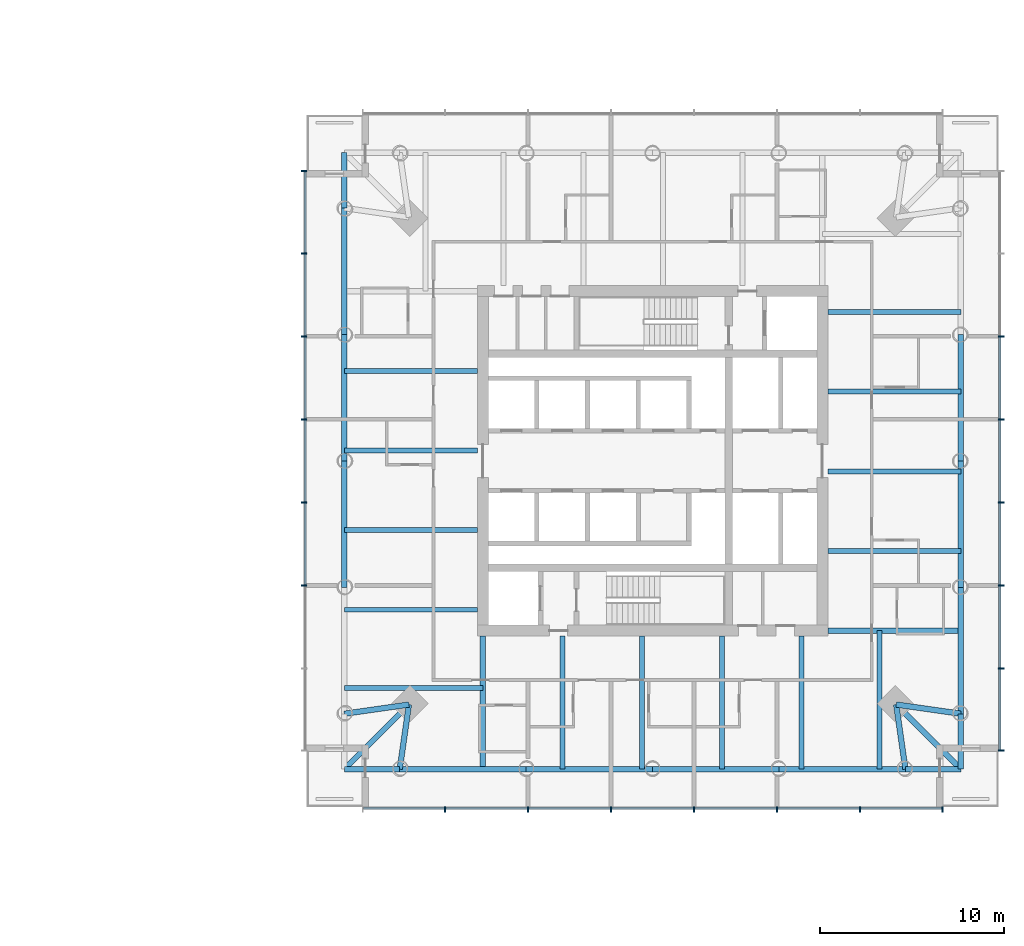
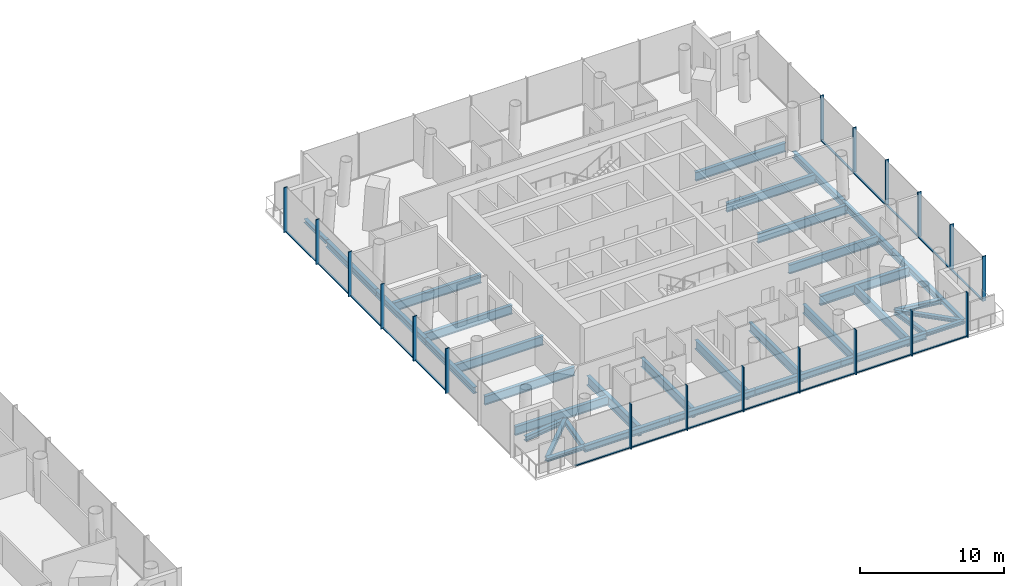
# One storey, part 5 of 18: 36 beams, 36 members, 3 elements without a shape of their own.
"""IFC4 building model written with IfcOpenShell, lengths in metres."""

from ifc_helpers import new_model, si_unit, direction, frame, origin, origin_2d, place, context, subcontext, project, spatial, rectangle, i_section, extrude, material, material_profile, profile_set, type_object, element, aggregate, save


model = new_model("IFC4")

# Units and contexts
model_context = context("Model", 3, precision=1e-05, world=origin(), true_north=direction((0.0, 1.0)))
body_context = subcontext(model_context, "Body", "Model", "MODEL_VIEW")
ifc_project = project(units=[si_unit("LENGTHUNIT", "METRE"), si_unit("AREAUNIT", "SQUARE_METRE"), si_unit("VOLUMEUNIT", "CUBIC_METRE"), si_unit("PLANEANGLEUNIT", "RADIAN"), si_unit("MASSUNIT", "GRAM", prefix="KILO")], contexts=[model_context])

# Site, building, storey
site_placement = place(None, origin())
site = spatial("IfcSite", under=ifc_project, at=site_placement, CompositionType="ELEMENT")
building_placement = place(site_placement, origin())
building = spatial("IfcBuilding", under=site, at=building_placement, Name="Ostroluk Exchange", CompositionType="ELEMENT")
storey_placement = place(building_placement, frame((0.0, 0.0, 74.199951171875)))
storey = spatial("IfcBuildingStorey", under=building, at=storey_placement, Name="L18", CompositionType="ELEMENT", Elevation=74.199951171875)

# Beams
ifc_material_1 = material(Name="Steel S355", Category="steel")
ifc_material_profile_1 = material_profile(ifc_material_1, i_section(OverallWidth=0.300048828125, OverallDepth=0.300048828125, WebThickness=0.010986328125, FlangeThickness=0.01904296875, FilletRadius=0.027099609375, at=origin_2d()), Name="HEB 300")
ifc_profile_set_1 = profile_set([ifc_material_profile_1], Name="Steel S355")
beam_type_1 = type_object("IfcBeamType", Name="Balcony beam HEB 300", PredefinedType="BEAM", material=ifc_profile_set_1)
for number, where, z_axis, x_axis, name in (
    (1, (100.293212890625, 59.706787109375, -0.349853515625), (0.0, 1.0, 0.0), (-1.0, 0.0, 0.0), "T2 north balcony beam b"),
    (2, (103.293212890625, 29.293212890625, -0.349853515625), (-1.0, 0.0, 0.0), (0.0, -1.0, 0.0), "T2 west balcony beam b"),
):
    element("IfcBeam", number, at=place(storey_placement, frame(where, z_axis=z_axis, x_axis=x_axis)), inside=storey, type_object=beam_type_1, Name=name, PredefinedType="BEAM", context=body_context, shape_type="SweptSolid", body=[
        extrude(i_section(OverallWidth=0.300048828125, OverallDepth=0.300048828125, WebThickness=0.010986328125, FlangeThickness=0.01904296875, FilletRadius=0.027099609375, at=origin_2d()), origin(), (0.0, 0.0, 1.0), 3.0),
    ])
beam_1_placement = place(storey_placement, frame((103.793212890625, 32.793212890625, -0.349853515625), z_axis=(-0.707106781187, -0.707106781187, 0.0), x_axis=(0.707106781187, -0.707106781187, 0.0)))
element("IfcBeam", 3, at=beam_1_placement, inside=storey, type_object=beam_type_1, Name="T2 west balcony beam c", PredefinedType="BEAM", context=body_context, shape_type="SweptSolid", body=[
    extrude(i_section(OverallWidth=0.300048828125, OverallDepth=0.300048828125, WebThickness=0.010986328125, FlangeThickness=0.01904296875, FilletRadius=0.027099609375, at=origin_2d()), origin(), (0.0, 0.0, 1.0), 4.94970703125),
])
for number, where, z_axis, x_axis, name in (
    (4, (130.706787109375, 29.293212890625, -0.349853515625), (1.0, 0.0, 0.0), (0.0, 1.0, 0.0), "T2 south balcony beam a"),
    (5, (133.706787109375, 32.293212890625, -0.349853515625), (0.0, -1.0, 0.0), (1.0, 0.0, 0.0), "T2 south balcony beam b"),
):
    element("IfcBeam", number, at=place(storey_placement, frame(where, z_axis=z_axis, x_axis=x_axis)), inside=storey, type_object=beam_type_1, Name=name, PredefinedType="BEAM", context=body_context, shape_type="SweptSolid", body=[
        extrude(i_section(OverallWidth=0.300048828125, OverallDepth=0.300048828125, WebThickness=0.010986328125, FlangeThickness=0.01904296875, FilletRadius=0.027099609375, at=origin_2d()), origin(), (0.0, 0.0, 1.0), 3.0),
    ])
beam_2_placement = place(storey_placement, frame((130.206787109375, 32.793212890625, -0.349853515625), z_axis=(0.707106781187, -0.707106781187, 0.0), x_axis=(0.707106781187, 0.707106781187, 0.0)))
element("IfcBeam", 6, at=beam_2_placement, inside=storey, type_object=beam_type_1, Name="T2 south balcony beam c", PredefinedType="BEAM", context=body_context, shape_type="SweptSolid", body=[
    extrude(i_section(OverallWidth=0.300048828125, OverallDepth=0.300048828125, WebThickness=0.010986328125, FlangeThickness=0.01904296875, FilletRadius=0.027099609375, at=origin_2d()), origin(), (0.0, 0.0, 1.0), 4.94970703125),
])
ifc_material_2 = material(Name="Steel S355", Category="steel")
ifc_material_profile_2 = material_profile(ifc_material_2, i_section(OverallWidth=0.300048828125, OverallDepth=0.39990234375, WebThickness=0.013427734375, FlangeThickness=0.02392578125, FilletRadius=0.027099609375, at=origin_2d()), Name="HEB 400")
ifc_profile_set_2 = profile_set([ifc_material_profile_2], Name="Steel S355")
beam_type_2 = type_object("IfcBeamType", Name="Corner edge beam HEB 400", PredefinedType="SPANDREL", material=ifc_profile_set_2)
for number, where, z_axis, x_axis, name in (
    (7, (103.793212890625, 32.793212890625, -0.39990234375), (-0.989949493661, -0.141421356237, 0.0), (0.141421356237, -0.989949493661, 0.0), "T2 west corner edge beam a"),
    (8, (103.793212890625, 32.793212890625, -0.39990234375), (-0.141421356237, -0.989949493661, 0.0), (0.989949493661, -0.141421356237, 0.0), "T2 west corner edge beam b"),
    (9, (130.206787109375, 32.793212890625, -0.39990234375), (0.141421356237, -0.989949493661, 0.0), (0.989949493661, 0.141421356237, 0.0), "T2 south corner edge beam a"),
    (10, (130.206787109375, 32.793212890625, -0.39990234375), (0.989949493661, -0.141421356237, 0.0), (0.141421356237, 0.989949493661, 0.0), "T2 south corner edge beam b"),
):
    element("IfcBeam", number, at=place(storey_placement, frame(where, z_axis=z_axis, x_axis=x_axis)), inside=storey, type_object=beam_type_2, Name=name, PredefinedType="SPANDREL", context=body_context, shape_type="SweptSolid", body=[
        extrude(i_section(OverallWidth=0.300048828125, OverallDepth=0.39990234375, WebThickness=0.013427734375, FlangeThickness=0.02392578125, FilletRadius=0.027099609375, at=origin_2d()), origin(), (0.0, 0.0, 1.0), 3.53564453125),
    ])
ifc_material_3 = material(Name="Steel S355", Category="steel")
ifc_material_profile_3 = material_profile(ifc_material_3, i_section(OverallWidth=0.264892578125, OverallDepth=0.7529296875, WebThickness=0.01318359375, FlangeThickness=0.01708984375, FilletRadius=0.01708984375, at=origin_2d()), Name="IPE 750x147")
ifc_profile_set_3 = profile_set([ifc_material_profile_3], Name="Steel S355")
beam_type_3 = type_object("IfcBeamType", Name="Floor beam IPE 750x147", PredefinedType="BEAM", material=ifc_profile_set_3)
for number, where, z_axis, x_axis, name in (
    (11, (126.5, 41.117919921875, -0.576416015625), (1.0, 0.0, 0.0), (0.0, 1.0, 0.0), "T2 east floor beam 1"),
    (12, (126.5, 45.435546875, -0.576416015625), (1.0, 0.0, 0.0), (0.0, 1.0, 0.0), "T2 east floor beam 2"),
    (13, (126.5, 49.75341796875, -0.576416015625), (1.0, 0.0, 0.0), (0.0, 1.0, 0.0), "T2 east floor beam 3"),
    (14, (126.5, 54.0712890625, -0.576416015625), (1.0, 0.0, 0.0), (0.0, 1.0, 0.0), "T2 east floor beam 4"),
    (15, (107.5, 50.882080078125, -0.576416015625), (-1.0, 0.0, 0.0), (0.0, -1.0, 0.0), "T2 west floor beam 1"),
    (16, (107.5, 46.564453125, -0.576416015625), (-1.0, 0.0, 0.0), (0.0, -1.0, 0.0), "T2 west floor beam 2"),
    (17, (107.5, 42.24658203125, -0.576416015625), (-1.0, 0.0, 0.0), (0.0, -1.0, 0.0), "T2 west floor beam 3"),
    (18, (107.5, 37.9287109375, -0.576416015625), (-1.0, 0.0, 0.0), (0.0, -1.0, 0.0), "T2 west floor beam 4"),
):
    element("IfcBeam", number, at=place(storey_placement, frame(where, z_axis=z_axis, x_axis=x_axis)), inside=storey, type_object=beam_type_3, Name=name, PredefinedType="BEAM", context=body_context, shape_type="SweptSolid", body=[
        extrude(i_section(OverallWidth=0.264892578125, OverallDepth=0.7529296875, WebThickness=0.01318359375, FlangeThickness=0.01708984375, FilletRadius=0.01708984375, at=origin_2d()), origin(), (0.0, 0.0, 1.0), 7.206787109375),
    ])
beam_3_placement = place(storey_placement, frame((107.800048828125, 33.693115234375, -0.576416015625), z_axis=(-1.0, 0.0, 0.0), x_axis=(0.0, -1.0, 0.0)))
element("IfcBeam", 19, at=beam_3_placement, inside=storey, type_object=beam_type_3, Name="T2 west floor beam 5", PredefinedType="BEAM", context=body_context, shape_type="SweptSolid", body=[
    extrude(i_section(OverallWidth=0.264892578125, OverallDepth=0.7529296875, WebThickness=0.01318359375, FlangeThickness=0.01708984375, FilletRadius=0.01708984375, at=origin_2d()), origin(), (0.0, 0.0, 1.0), 7.5068359375),
])
for number, where, z_axis, x_axis, name in (
    (20, (112.117919921875, 36.5, -0.576416015625), (0.0, -1.0, 0.0), (1.0, 0.0, 0.0), "T2 south floor beam 1"),
    (21, (116.435546875, 36.5, -0.576416015625), (0.0, -1.0, 0.0), (1.0, 0.0, 0.0), "T2 south floor beam 2"),
    (22, (120.75341796875, 36.5, -0.576416015625), (0.0, -1.0, 0.0), (1.0, 0.0, 0.0), "T2 south floor beam 3"),
    (23, (125.0712890625, 36.5, -0.576416015625), (0.0, -1.0, 0.0), (1.0, 0.0, 0.0), "T2 south floor beam 4"),
):
    element("IfcBeam", number, at=place(storey_placement, frame(where, z_axis=z_axis, x_axis=x_axis)), inside=storey, type_object=beam_type_3, Name=name, PredefinedType="BEAM", context=body_context, shape_type="SweptSolid", body=[
        extrude(i_section(OverallWidth=0.264892578125, OverallDepth=0.7529296875, WebThickness=0.01318359375, FlangeThickness=0.01708984375, FilletRadius=0.01708984375, at=origin_2d()), origin(), (0.0, 0.0, 1.0), 7.206787109375),
    ])
beam_4_placement = place(storey_placement, frame((129.306884765625, 36.800048828125, -0.576416015625), z_axis=(0.0, -1.0, 0.0), x_axis=(1.0, 0.0, 0.0)))
element("IfcBeam", 24, at=beam_4_placement, inside=storey, type_object=beam_type_3, Name="T2 south floor beam 5", PredefinedType="BEAM", context=body_context, shape_type="SweptSolid", body=[
    extrude(i_section(OverallWidth=0.264892578125, OverallDepth=0.7529296875, WebThickness=0.01318359375, FlangeThickness=0.01708984375, FilletRadius=0.01708984375, at=origin_2d()), origin(), (0.0, 0.0, 1.0), 7.5068359375),
])
ifc_material_4 = material(Name="Steel S355", Category="steel")
ifc_material_profile_4 = material_profile(ifc_material_4, i_section(OverallWidth=0.300048828125, OverallDepth=0.800048828125, WebThickness=0.017578125, FlangeThickness=0.032958984375, FilletRadius=0.030029296875, at=origin_2d()), Name="HEB 800")
ifc_profile_set_4 = profile_set([ifc_material_profile_4], Name="Steel S355")
beam_type_4 = type_object("IfcBeamType", Name="Girder HEB 800", PredefinedType="BEAM", material=ifc_profile_set_4)
for number, where, z_axis, x_axis, name in (
    (25, (107.800048828125, 36.5, -0.599853515625), (0.0, -1.0, 0.0), (1.0, 0.0, 0.0), "T2 west girder"),
    (26, (126.5, 36.800048828125, -0.599853515625), (1.0, 0.0, 0.0), (0.0, 1.0, 0.0), "T2 south girder"),
):
    element("IfcBeam", number, at=place(storey_placement, frame(where, z_axis=z_axis, x_axis=x_axis)), inside=storey, type_object=beam_type_4, Name=name, PredefinedType="BEAM", context=body_context, shape_type="SweptSolid", body=[
        extrude(i_section(OverallWidth=0.300048828125, OverallDepth=0.800048828125, WebThickness=0.017578125, FlangeThickness=0.032958984375, FilletRadius=0.030029296875, at=origin_2d()), origin(), (0.0, 0.0, 1.0), 7.206787109375),
    ])
ifc_material_5 = material(Name="Steel S355", Category="steel")
ifc_material_profile_5 = material_profile(ifc_material_5, i_section(OverallWidth=0.300048828125, OverallDepth=0.550048828125, WebThickness=0.014892578125, FlangeThickness=0.029052734375, FilletRadius=0.027099609375, at=origin_2d()), Name="HEB 550")
ifc_profile_set_5 = profile_set([ifc_material_profile_5], Name="Steel S355")
beam_type_5 = type_object("IfcBeamType", Name="Moment-connected edge beam HEB 550", PredefinedType="SPANDREL", material=ifc_profile_set_5)
beam_5_placement = place(storey_placement, frame((133.706787109375, 32.293212890625, -0.474853515625), z_axis=(0.0, 1.0, 0.0), x_axis=(-1.0, 0.0, 0.0)))
element("IfcBeam", 27, at=beam_5_placement, inside=storey, type_object=beam_type_5, Name="T2 east edge beam 1", PredefinedType="SPANDREL", context=body_context, shape_type="SweptSolid", body=[
    extrude(i_section(OverallWidth=0.300048828125, OverallDepth=0.550048828125, WebThickness=0.014892578125, FlangeThickness=0.029052734375, FilletRadius=0.027099609375, at=origin_2d()), origin(), (0.0, 0.0, 1.0), 6.853271484375),
])
for number, where, z_axis, x_axis, name in (
    (28, (133.706787109375, 39.146484375, -0.474853515625), (0.0, 1.0, 0.0), (-1.0, 0.0, 0.0), "T2 east edge beam 2"),
    (29, (133.706787109375, 46.0, -0.474853515625), (0.0, 1.0, 0.0), (-1.0, 0.0, 0.0), "T2 east edge beam 3"),
):
    element("IfcBeam", number, at=place(storey_placement, frame(where, z_axis=z_axis, x_axis=x_axis)), inside=storey, type_object=beam_type_5, Name=name, PredefinedType="SPANDREL", context=body_context, shape_type="SweptSolid", body=[
        extrude(i_section(OverallWidth=0.300048828125, OverallDepth=0.550048828125, WebThickness=0.014892578125, FlangeThickness=0.029052734375, FilletRadius=0.027099609375, at=origin_2d()), origin(), (0.0, 0.0, 1.0), 6.853515625),
    ])
beam_6_placement = place(storey_placement, frame((100.293212890625, 59.706787109375, -0.474853515625), z_axis=(0.0, -1.0, 0.0), x_axis=(1.0, 0.0, 0.0)))
element("IfcBeam", 30, at=beam_6_placement, inside=storey, type_object=beam_type_5, Name="T2 west edge beam 1", PredefinedType="SPANDREL", context=body_context, shape_type="SweptSolid", body=[
    extrude(i_section(OverallWidth=0.300048828125, OverallDepth=0.550048828125, WebThickness=0.014892578125, FlangeThickness=0.029052734375, FilletRadius=0.027099609375, at=origin_2d()), origin(), (0.0, 0.0, 1.0), 6.853271484375),
])
for number, where, z_axis, x_axis, name in (
    (31, (100.293212890625, 52.853515625, -0.474853515625), (0.0, -1.0, 0.0), (1.0, 0.0, 0.0), "T2 west edge beam 2"),
    (32, (100.293212890625, 46.0, -0.474853515625), (0.0, -1.0, 0.0), (1.0, 0.0, 0.0), "T2 west edge beam 3"),
):
    element("IfcBeam", number, at=place(storey_placement, frame(where, z_axis=z_axis, x_axis=x_axis)), inside=storey, type_object=beam_type_5, Name=name, PredefinedType="SPANDREL", context=body_context, shape_type="SweptSolid", body=[
        extrude(i_section(OverallWidth=0.300048828125, OverallDepth=0.550048828125, WebThickness=0.014892578125, FlangeThickness=0.029052734375, FilletRadius=0.027099609375, at=origin_2d()), origin(), (0.0, 0.0, 1.0), 6.853515625),
    ])
beam_7_placement = place(storey_placement, frame((103.293212890625, 29.293212890625, -0.474853515625), z_axis=(1.0, 0.0, 0.0), x_axis=(0.0, 1.0, 0.0)))
element("IfcBeam", 33, at=beam_7_placement, inside=storey, type_object=beam_type_5, Name="T2 south edge beam 1", PredefinedType="SPANDREL", context=body_context, shape_type="SweptSolid", body=[
    extrude(i_section(OverallWidth=0.300048828125, OverallDepth=0.550048828125, WebThickness=0.014892578125, FlangeThickness=0.029052734375, FilletRadius=0.027099609375, at=origin_2d()), origin(), (0.0, 0.0, 1.0), 6.853271484375),
])
for number, where, z_axis, x_axis, name in (
    (34, (110.146484375, 29.293212890625, -0.474853515625), (1.0, 0.0, 0.0), (0.0, 1.0, 0.0), "T2 south edge beam 2"),
    (35, (117.0, 29.293212890625, -0.474853515625), (1.0, 0.0, 0.0), (0.0, 1.0, 0.0), "T2 south edge beam 3"),
):
    element("IfcBeam", number, at=place(storey_placement, frame(where, z_axis=z_axis, x_axis=x_axis)), inside=storey, type_object=beam_type_5, Name=name, PredefinedType="SPANDREL", context=body_context, shape_type="SweptSolid", body=[
        extrude(i_section(OverallWidth=0.300048828125, OverallDepth=0.550048828125, WebThickness=0.014892578125, FlangeThickness=0.029052734375, FilletRadius=0.027099609375, at=origin_2d()), origin(), (0.0, 0.0, 1.0), 6.853515625),
    ])
beam_8_placement = place(storey_placement, frame((123.853515625, 29.293212890625, -0.474853515625), z_axis=(1.0, 0.0, 0.0), x_axis=(0.0, 1.0, 0.0)))
element("IfcBeam", 36, at=beam_8_placement, inside=storey, type_object=beam_type_5, Name="T2 south edge beam 4", PredefinedType="SPANDREL", context=body_context, shape_type="SweptSolid", body=[
    extrude(i_section(OverallWidth=0.300048828125, OverallDepth=0.550048828125, WebThickness=0.014892578125, FlangeThickness=0.029052734375, FilletRadius=0.027099609375, at=origin_2d()), origin(), (0.0, 0.0, 1.0), 6.853271484375),
])

# Curtain wall, members
ifc_material_6 = material(Name="Laminated clear glass", Category="glass")
curtain_wall_type = type_object("IfcCurtainWallType", Name="Hotel guest floor facade", PredefinedType="USERDEFINED", material=ifc_material_6)
curtain_wall_1_placement = place(storey_placement, origin())
curtain_wall_1 = element("IfcCurtainWall", 37, at=curtain_wall_1_placement, inside=storey, type_object=curtain_wall_type, Name="Hotel tower south facade L18", ObjectType="UNITISED CURTAIN WALL", PredefinedType="USERDEFINED")
ifc_material_7 = material(Name="Aluminium mullion", Category="aluminium")
ifc_material_profile_6 = material_profile(ifc_material_7, rectangle(XDim=0.14990234375, YDim=0.080078125, at=origin_2d()), Name="Sill transom 80 x 150")
ifc_profile_set_6 = profile_set([ifc_material_profile_6], Name="Aluminium mullion")
member_type_1 = type_object("IfcMemberType", Name="Sill transom 80 x 150", PredefinedType="USERDEFINED", material=ifc_profile_set_6)
member_1_placement = place(storey_placement, frame((101.330078125, 27.175048828125, 0.0400390625), z_axis=(1.0, 0.0, 0.0), x_axis=(0.0, 1.0, 0.0)))
member_1 = element("IfcMember", 38, at=member_1_placement, type_object=member_type_1, Name="CW-H1 transom 1.1", ObjectType="TRANSOM", PredefinedType="USERDEFINED", context=body_context, shape_type="SweptSolid", body=[
    extrude(rectangle(XDim=0.14990234375, YDim=0.080078125, at=origin_2d()), origin(), (0.0, 0.0, 1.0), 4.3798828125),
])
member_2_placement = place(storey_placement, frame((105.7900390625, 27.175048828125, 0.0400390625), z_axis=(1.0, 0.0, 0.0), x_axis=(0.0, 1.0, 0.0)))
member_2 = element("IfcMember", 39, at=member_2_placement, type_object=member_type_1, Name="CW-H1 transom 2.1", ObjectType="TRANSOM", PredefinedType="USERDEFINED", context=body_context, shape_type="SweptSolid", body=[
    extrude(rectangle(XDim=0.14990234375, YDim=0.080078125, at=origin_2d()), origin(), (0.0, 0.0, 1.0), 4.419921875),
])
member_3_placement = place(storey_placement, frame((110.2900390625, 27.175048828125, 0.0400390625), z_axis=(1.0, 0.0, 0.0), x_axis=(0.0, 1.0, 0.0)))
member_3 = element("IfcMember", 40, at=member_3_placement, type_object=member_type_1, Name="CW-H1 transom 3.1", ObjectType="TRANSOM", PredefinedType="USERDEFINED", context=body_context, shape_type="SweptSolid", body=[
    extrude(rectangle(XDim=0.14990234375, YDim=0.080078125, at=origin_2d()), origin(), (0.0, 0.0, 1.0), 4.419921875),
])
member_4_placement = place(storey_placement, frame((114.7900390625, 27.175048828125, 0.0400390625), z_axis=(1.0, 0.0, 0.0), x_axis=(0.0, 1.0, 0.0)))
member_4 = element("IfcMember", 41, at=member_4_placement, type_object=member_type_1, Name="CW-H1 transom 4.1", ObjectType="TRANSOM", PredefinedType="USERDEFINED", context=body_context, shape_type="SweptSolid", body=[
    extrude(rectangle(XDim=0.14990234375, YDim=0.080078125, at=origin_2d()), origin(), (0.0, 0.0, 1.0), 4.419921875),
])
member_5_placement = place(storey_placement, frame((119.2900390625, 27.175048828125, 0.0400390625), z_axis=(1.0, 0.0, 0.0), x_axis=(0.0, 1.0, 0.0)))
member_5 = element("IfcMember", 42, at=member_5_placement, type_object=member_type_1, Name="CW-H1 transom 5.1", ObjectType="TRANSOM", PredefinedType="USERDEFINED", context=body_context, shape_type="SweptSolid", body=[
    extrude(rectangle(XDim=0.14990234375, YDim=0.080078125, at=origin_2d()), origin(), (0.0, 0.0, 1.0), 4.419921875),
])
member_6_placement = place(storey_placement, frame((123.7900390625, 27.175048828125, 0.0400390625), z_axis=(1.0, 0.0, 0.0), x_axis=(0.0, 1.0, 0.0)))
member_6 = element("IfcMember", 43, at=member_6_placement, type_object=member_type_1, Name="CW-H1 transom 6.1", ObjectType="TRANSOM", PredefinedType="USERDEFINED", context=body_context, shape_type="SweptSolid", body=[
    extrude(rectangle(XDim=0.14990234375, YDim=0.080078125, at=origin_2d()), origin(), (0.0, 0.0, 1.0), 4.419921875),
])
member_7_placement = place(storey_placement, frame((128.2900390625, 27.175048828125, 0.0400390625), z_axis=(1.0, 0.0, 0.0), x_axis=(0.0, 1.0, 0.0)))
member_7 = element("IfcMember", 44, at=member_7_placement, type_object=member_type_1, Name="CW-H1 transom 7.1", ObjectType="TRANSOM", PredefinedType="USERDEFINED", context=body_context, shape_type="SweptSolid", body=[
    extrude(rectangle(XDim=0.14990234375, YDim=0.080078125, at=origin_2d()), origin(), (0.0, 0.0, 1.0), 4.3798828125),
])

curtain_wall_2_placement = place(storey_placement, origin())
curtain_wall_2 = element("IfcCurtainWall", 45, at=curtain_wall_2_placement, inside=storey, type_object=curtain_wall_type, Name="Hotel tower east facade L18", ObjectType="UNITISED CURTAIN WALL", PredefinedType="USERDEFINED")
member_8_placement = place(storey_placement, frame((135.824951171875, 30.330078125, 0.0400390625), z_axis=(0.0, 1.0, 0.0), x_axis=(-1.0, 0.0, 0.0)))
member_8 = element("IfcMember", 46, at=member_8_placement, type_object=member_type_1, Name="CW-H1 transom 1.1", ObjectType="TRANSOM", PredefinedType="USERDEFINED", context=body_context, shape_type="SweptSolid", body=[
    extrude(rectangle(XDim=0.14990234375, YDim=0.080078125, at=origin_2d()), origin(), (0.0, 0.0, 1.0), 4.3798828125),
])
member_9_placement = place(storey_placement, frame((135.824951171875, 34.7900390625, 0.0400390625), z_axis=(0.0, 1.0, 0.0), x_axis=(-1.0, 0.0, 0.0)))
member_9 = element("IfcMember", 47, at=member_9_placement, type_object=member_type_1, Name="CW-H1 transom 2.1", ObjectType="TRANSOM", PredefinedType="USERDEFINED", context=body_context, shape_type="SweptSolid", body=[
    extrude(rectangle(XDim=0.14990234375, YDim=0.080078125, at=origin_2d()), origin(), (0.0, 0.0, 1.0), 4.419921875),
])
member_10_placement = place(storey_placement, frame((135.824951171875, 39.2900390625, 0.0400390625), z_axis=(0.0, 1.0, 0.0), x_axis=(-1.0, 0.0, 0.0)))
member_10 = element("IfcMember", 48, at=member_10_placement, type_object=member_type_1, Name="CW-H1 transom 3.1", ObjectType="TRANSOM", PredefinedType="USERDEFINED", context=body_context, shape_type="SweptSolid", body=[
    extrude(rectangle(XDim=0.14990234375, YDim=0.080078125, at=origin_2d()), origin(), (0.0, 0.0, 1.0), 4.419921875),
])
member_11_placement = place(storey_placement, frame((135.824951171875, 43.7900390625, 0.0400390625), z_axis=(0.0, 1.0, 0.0), x_axis=(-1.0, 0.0, 0.0)))
member_11 = element("IfcMember", 49, at=member_11_placement, type_object=member_type_1, Name="CW-H1 transom 4.1", ObjectType="TRANSOM", PredefinedType="USERDEFINED", context=body_context, shape_type="SweptSolid", body=[
    extrude(rectangle(XDim=0.14990234375, YDim=0.080078125, at=origin_2d()), origin(), (0.0, 0.0, 1.0), 4.419921875),
])
member_12_placement = place(storey_placement, frame((135.824951171875, 48.2900390625, 0.0400390625), z_axis=(0.0, 1.0, 0.0), x_axis=(-1.0, 0.0, 0.0)))
member_12 = element("IfcMember", 50, at=member_12_placement, type_object=member_type_1, Name="CW-H1 transom 5.1", ObjectType="TRANSOM", PredefinedType="USERDEFINED", context=body_context, shape_type="SweptSolid", body=[
    extrude(rectangle(XDim=0.14990234375, YDim=0.080078125, at=origin_2d()), origin(), (0.0, 0.0, 1.0), 4.419921875),
])

curtain_wall_3_placement = place(storey_placement, origin())
curtain_wall_3 = element("IfcCurtainWall", 51, at=curtain_wall_3_placement, inside=storey, type_object=curtain_wall_type, Name="Hotel tower west facade L18", ObjectType="UNITISED CURTAIN WALL", PredefinedType="USERDEFINED")
member_13_placement = place(storey_placement, frame((98.175048828125, 61.669921875, 0.0400390625), z_axis=(0.0, -1.0, 0.0), x_axis=(1.0, 0.0, 0.0)))
member_13 = element("IfcMember", 52, at=member_13_placement, type_object=member_type_1, Name="CW-H1 transom 1.1", ObjectType="TRANSOM", PredefinedType="USERDEFINED", context=body_context, shape_type="SweptSolid", body=[
    extrude(rectangle(XDim=0.14990234375, YDim=0.080078125, at=origin_2d()), origin(), (0.0, 0.0, 1.0), 4.3798828125),
])
member_14_placement = place(storey_placement, frame((98.175048828125, 57.2099609375, 0.0400390625), z_axis=(0.0, -1.0, 0.0), x_axis=(1.0, 0.0, 0.0)))
member_14 = element("IfcMember", 53, at=member_14_placement, type_object=member_type_1, Name="CW-H1 transom 2.1", ObjectType="TRANSOM", PredefinedType="USERDEFINED", context=body_context, shape_type="SweptSolid", body=[
    extrude(rectangle(XDim=0.14990234375, YDim=0.080078125, at=origin_2d()), origin(), (0.0, 0.0, 1.0), 4.419921875),
])
member_15_placement = place(storey_placement, frame((98.175048828125, 52.7099609375, 0.0400390625), z_axis=(0.0, -1.0, 0.0), x_axis=(1.0, 0.0, 0.0)))
member_15 = element("IfcMember", 54, at=member_15_placement, type_object=member_type_1, Name="CW-H1 transom 3.1", ObjectType="TRANSOM", PredefinedType="USERDEFINED", context=body_context, shape_type="SweptSolid", body=[
    extrude(rectangle(XDim=0.14990234375, YDim=0.080078125, at=origin_2d()), origin(), (0.0, 0.0, 1.0), 4.419921875),
])
member_16_placement = place(storey_placement, frame((98.175048828125, 48.2099609375, 0.0400390625), z_axis=(0.0, -1.0, 0.0), x_axis=(1.0, 0.0, 0.0)))
member_16 = element("IfcMember", 55, at=member_16_placement, type_object=member_type_1, Name="CW-H1 transom 4.1", ObjectType="TRANSOM", PredefinedType="USERDEFINED", context=body_context, shape_type="SweptSolid", body=[
    extrude(rectangle(XDim=0.14990234375, YDim=0.080078125, at=origin_2d()), origin(), (0.0, 0.0, 1.0), 4.419921875),
])
member_17_placement = place(storey_placement, frame((98.175048828125, 43.7099609375, 0.0400390625), z_axis=(0.0, -1.0, 0.0), x_axis=(1.0, 0.0, 0.0)))
member_17 = element("IfcMember", 56, at=member_17_placement, type_object=member_type_1, Name="CW-H1 transom 5.1", ObjectType="TRANSOM", PredefinedType="USERDEFINED", context=body_context, shape_type="SweptSolid", body=[
    extrude(rectangle(XDim=0.14990234375, YDim=0.080078125, at=origin_2d()), origin(), (0.0, 0.0, 1.0), 4.419921875),
])

# Member
ifc_material_8 = material(Name="Aluminium mullion with limestone facing", Category="masonry")
ifc_material_profile_7 = material_profile(ifc_material_8, rectangle(XDim=0.300048828125, YDim=0.080078125, at=origin_2d()), Name="Tracery mullion 80 x 300")
ifc_profile_set_7 = profile_set([ifc_material_profile_7], Name="Aluminium mullion with limestone facing")
member_type_2 = type_object("IfcMemberType", Name="Tracery mullion 80 x 300", PredefinedType="MULLION", material=ifc_profile_set_7)
member_18_placement = place(storey_placement, frame((105.75, 27.10009765625, 0.0), z_axis=(0.0, 0.0, 1.0), x_axis=(0.0, 1.0, 0.0)))
member_18 = element("IfcMember", 57, at=member_18_placement, type_object=member_type_2, Name="CW-H1 mullion 2", PredefinedType="MULLION", context=body_context, shape_type="SweptSolid", body=[
    extrude(rectangle(XDim=0.300048828125, YDim=0.080078125, at=origin_2d()), origin(), (0.0, 0.0, 1.0), 3.800048828125),
])

member_19_placement = place(storey_placement, frame((110.25, 27.10009765625, 0.0), z_axis=(0.0, 0.0, 1.0), x_axis=(0.0, 1.0, 0.0)))
member_19 = element("IfcMember", 58, at=member_19_placement, type_object=member_type_2, Name="CW-H1 mullion 3", PredefinedType="MULLION", context=body_context, shape_type="SweptSolid", body=[
    extrude(rectangle(XDim=0.300048828125, YDim=0.080078125, at=origin_2d()), origin(), (0.0, 0.0, 1.0), 3.800048828125),
])

member_20_placement = place(storey_placement, frame((114.75, 27.10009765625, 0.0), z_axis=(0.0, 0.0, 1.0), x_axis=(0.0, 1.0, 0.0)))
member_20 = element("IfcMember", 59, at=member_20_placement, type_object=member_type_2, Name="CW-H1 mullion 4", PredefinedType="MULLION", context=body_context, shape_type="SweptSolid", body=[
    extrude(rectangle(XDim=0.300048828125, YDim=0.080078125, at=origin_2d()), origin(), (0.0, 0.0, 1.0), 3.800048828125),
])

member_21_placement = place(storey_placement, frame((119.25, 27.10009765625, 0.0), z_axis=(0.0, 0.0, 1.0), x_axis=(0.0, 1.0, 0.0)))
member_21 = element("IfcMember", 60, at=member_21_placement, type_object=member_type_2, Name="CW-H1 mullion 5", PredefinedType="MULLION", context=body_context, shape_type="SweptSolid", body=[
    extrude(rectangle(XDim=0.300048828125, YDim=0.080078125, at=origin_2d()), origin(), (0.0, 0.0, 1.0), 3.800048828125),
])

member_22_placement = place(storey_placement, frame((123.75, 27.10009765625, 0.0), z_axis=(0.0, 0.0, 1.0), x_axis=(0.0, 1.0, 0.0)))
member_22 = element("IfcMember", 61, at=member_22_placement, type_object=member_type_2, Name="CW-H1 mullion 6", PredefinedType="MULLION", context=body_context, shape_type="SweptSolid", body=[
    extrude(rectangle(XDim=0.300048828125, YDim=0.080078125, at=origin_2d()), origin(), (0.0, 0.0, 1.0), 3.800048828125),
])

member_23_placement = place(storey_placement, frame((128.25, 27.10009765625, 0.0), z_axis=(0.0, 0.0, 1.0), x_axis=(0.0, 1.0, 0.0)))
member_23 = element("IfcMember", 62, at=member_23_placement, type_object=member_type_2, Name="CW-H1 mullion 7", PredefinedType="MULLION", context=body_context, shape_type="SweptSolid", body=[
    extrude(rectangle(XDim=0.300048828125, YDim=0.080078125, at=origin_2d()), origin(), (0.0, 0.0, 1.0), 3.800048828125),
])

member_24_placement = place(storey_placement, frame((132.7099609375, 27.10009765625, 0.0), z_axis=(0.0, 0.0, 1.0), x_axis=(0.0, 1.0, 0.0)))
member_24 = element("IfcMember", 63, at=member_24_placement, type_object=member_type_2, Name="CW-H1 mullion 8", PredefinedType="MULLION", context=body_context, shape_type="SweptSolid", body=[
    extrude(rectangle(XDim=0.300048828125, YDim=0.080078125, at=origin_2d()), origin(), (0.0, 0.0, 1.0), 3.800048828125),
])

aggregate(curtain_wall_1, [member_18, member_19, member_20, member_21, member_22, member_23, member_24, member_1, member_2, member_3, member_4, member_5, member_6, member_7])

member_25_placement = place(storey_placement, frame((135.89990234375, 30.2900390625, 0.0), z_axis=(0.0, 0.0, 1.0), x_axis=(-1.0, 0.0, 0.0)))
member_25 = element("IfcMember", 64, at=member_25_placement, type_object=member_type_2, Name="CW-H1 mullion 1", PredefinedType="MULLION", context=body_context, shape_type="SweptSolid", body=[
    extrude(rectangle(XDim=0.300048828125, YDim=0.080078125, at=origin_2d()), origin(), (0.0, 0.0, 1.0), 3.800048828125),
])

member_26_placement = place(storey_placement, frame((135.89990234375, 34.75, 0.0), z_axis=(0.0, 0.0, 1.0), x_axis=(-1.0, 0.0, 0.0)))
member_26 = element("IfcMember", 65, at=member_26_placement, type_object=member_type_2, Name="CW-H1 mullion 2", PredefinedType="MULLION", context=body_context, shape_type="SweptSolid", body=[
    extrude(rectangle(XDim=0.300048828125, YDim=0.080078125, at=origin_2d()), origin(), (0.0, 0.0, 1.0), 3.800048828125),
])

member_27_placement = place(storey_placement, frame((135.89990234375, 39.25, 0.0), z_axis=(0.0, 0.0, 1.0), x_axis=(-1.0, 0.0, 0.0)))
member_27 = element("IfcMember", 66, at=member_27_placement, type_object=member_type_2, Name="CW-H1 mullion 3", PredefinedType="MULLION", context=body_context, shape_type="SweptSolid", body=[
    extrude(rectangle(XDim=0.300048828125, YDim=0.080078125, at=origin_2d()), origin(), (0.0, 0.0, 1.0), 3.800048828125),
])

member_28_placement = place(storey_placement, frame((135.89990234375, 43.75, 0.0), z_axis=(0.0, 0.0, 1.0), x_axis=(-1.0, 0.0, 0.0)))
member_28 = element("IfcMember", 67, at=member_28_placement, type_object=member_type_2, Name="CW-H1 mullion 4", PredefinedType="MULLION", context=body_context, shape_type="SweptSolid", body=[
    extrude(rectangle(XDim=0.300048828125, YDim=0.080078125, at=origin_2d()), origin(), (0.0, 0.0, 1.0), 3.800048828125),
])

member_29_placement = place(storey_placement, frame((135.89990234375, 48.25, 0.0), z_axis=(0.0, 0.0, 1.0), x_axis=(-1.0, 0.0, 0.0)))
member_29 = element("IfcMember", 68, at=member_29_placement, type_object=member_type_2, Name="CW-H1 mullion 5", PredefinedType="MULLION", context=body_context, shape_type="SweptSolid", body=[
    extrude(rectangle(XDim=0.300048828125, YDim=0.080078125, at=origin_2d()), origin(), (0.0, 0.0, 1.0), 3.800048828125),
])

member_30_placement = place(storey_placement, frame((135.89990234375, 52.75, 0.0), z_axis=(0.0, 0.0, 1.0), x_axis=(-1.0, 0.0, 0.0)))
member_30 = element("IfcMember", 69, at=member_30_placement, type_object=member_type_2, Name="CW-H1 mullion 6", PredefinedType="MULLION", context=body_context, shape_type="SweptSolid", body=[
    extrude(rectangle(XDim=0.300048828125, YDim=0.080078125, at=origin_2d()), origin(), (0.0, 0.0, 1.0), 3.800048828125),
])

aggregate(curtain_wall_2, [member_25, member_26, member_27, member_28, member_29, member_30, member_8, member_9, member_10, member_11, member_12])

member_31_placement = place(storey_placement, frame((98.10009765625, 61.7099609375, 0.0), z_axis=(0.0, 0.0, 1.0), x_axis=(1.0, 0.0, 0.0)))
member_31 = element("IfcMember", 70, at=member_31_placement, type_object=member_type_2, Name="CW-H1 mullion 1", PredefinedType="MULLION", context=body_context, shape_type="SweptSolid", body=[
    extrude(rectangle(XDim=0.300048828125, YDim=0.080078125, at=origin_2d()), origin(), (0.0, 0.0, 1.0), 3.800048828125),
])

member_32_placement = place(storey_placement, frame((98.10009765625, 57.25, 0.0), z_axis=(0.0, 0.0, 1.0), x_axis=(1.0, 0.0, 0.0)))
member_32 = element("IfcMember", 71, at=member_32_placement, type_object=member_type_2, Name="CW-H1 mullion 2", PredefinedType="MULLION", context=body_context, shape_type="SweptSolid", body=[
    extrude(rectangle(XDim=0.300048828125, YDim=0.080078125, at=origin_2d()), origin(), (0.0, 0.0, 1.0), 3.800048828125),
])

member_33_placement = place(storey_placement, frame((98.10009765625, 52.75, 0.0), z_axis=(0.0, 0.0, 1.0), x_axis=(1.0, 0.0, 0.0)))
member_33 = element("IfcMember", 72, at=member_33_placement, type_object=member_type_2, Name="CW-H1 mullion 3", PredefinedType="MULLION", context=body_context, shape_type="SweptSolid", body=[
    extrude(rectangle(XDim=0.300048828125, YDim=0.080078125, at=origin_2d()), origin(), (0.0, 0.0, 1.0), 3.800048828125),
])

member_34_placement = place(storey_placement, frame((98.10009765625, 48.25, 0.0), z_axis=(0.0, 0.0, 1.0), x_axis=(1.0, 0.0, 0.0)))
member_34 = element("IfcMember", 73, at=member_34_placement, type_object=member_type_2, Name="CW-H1 mullion 4", PredefinedType="MULLION", context=body_context, shape_type="SweptSolid", body=[
    extrude(rectangle(XDim=0.300048828125, YDim=0.080078125, at=origin_2d()), origin(), (0.0, 0.0, 1.0), 3.800048828125),
])

member_35_placement = place(storey_placement, frame((98.10009765625, 43.75, 0.0), z_axis=(0.0, 0.0, 1.0), x_axis=(1.0, 0.0, 0.0)))
member_35 = element("IfcMember", 74, at=member_35_placement, type_object=member_type_2, Name="CW-H1 mullion 5", PredefinedType="MULLION", context=body_context, shape_type="SweptSolid", body=[
    extrude(rectangle(XDim=0.300048828125, YDim=0.080078125, at=origin_2d()), origin(), (0.0, 0.0, 1.0), 3.800048828125),
])

member_36_placement = place(storey_placement, frame((98.10009765625, 39.25, 0.0), z_axis=(0.0, 0.0, 1.0), x_axis=(1.0, 0.0, 0.0)))
member_36 = element("IfcMember", 75, at=member_36_placement, type_object=member_type_2, Name="CW-H1 mullion 6", PredefinedType="MULLION", context=body_context, shape_type="SweptSolid", body=[
    extrude(rectangle(XDim=0.300048828125, YDim=0.080078125, at=origin_2d()), origin(), (0.0, 0.0, 1.0), 3.800048828125),
])

aggregate(curtain_wall_3, [member_31, member_32, member_33, member_34, member_35, member_36, member_13, member_14, member_15, member_16, member_17])

save(model, "model.ifc")
